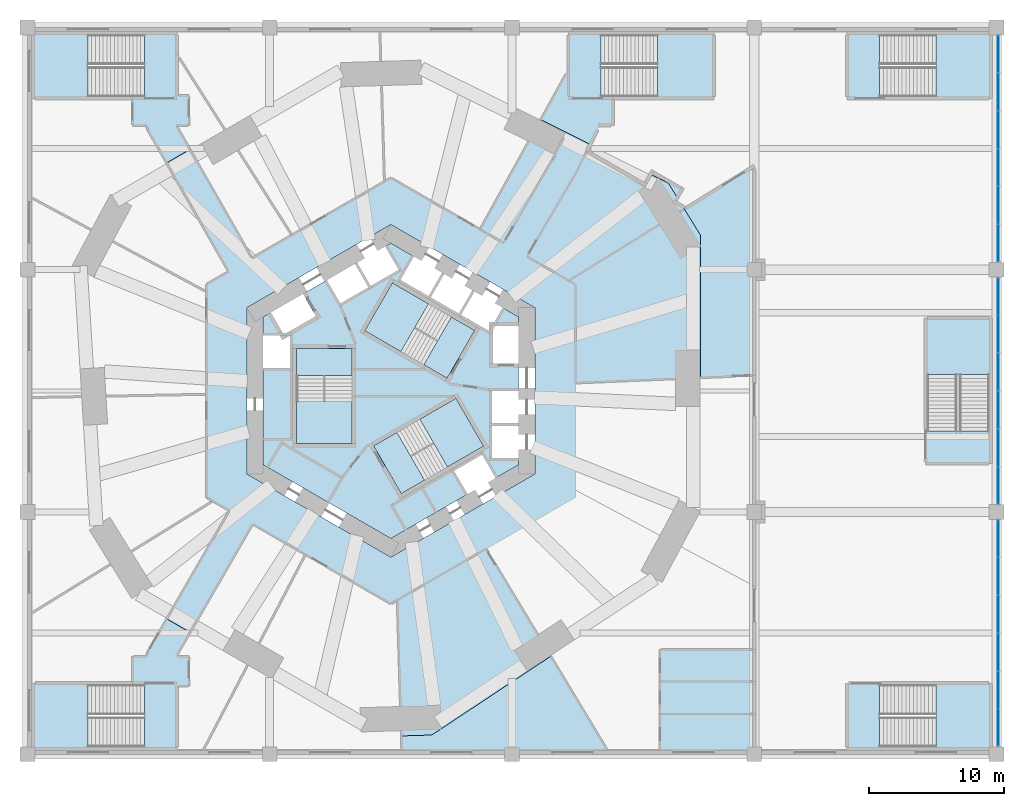
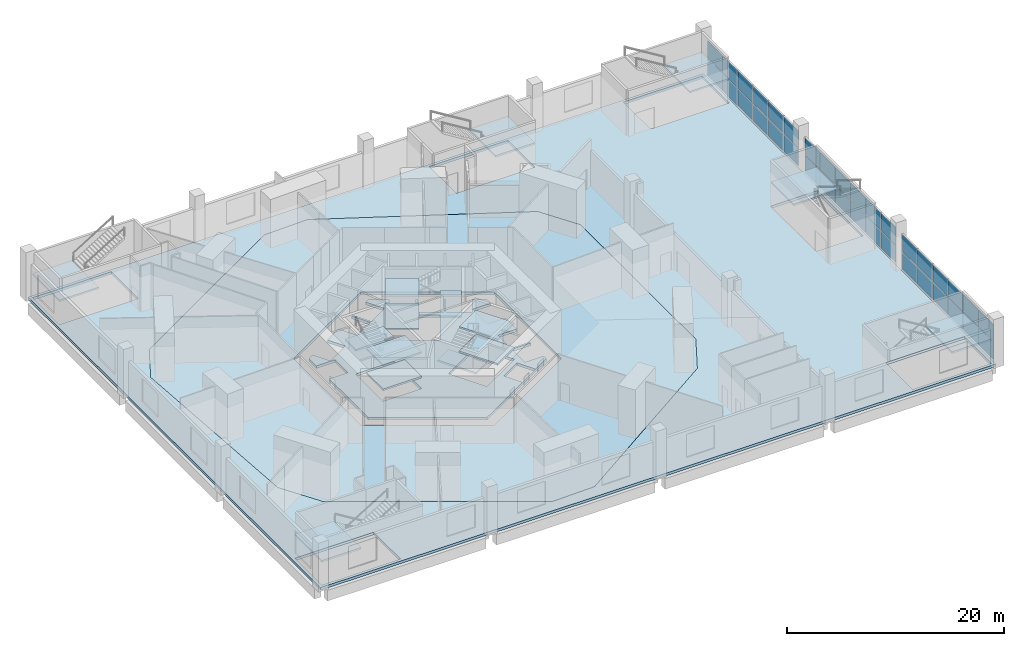
# One storey, part 4 of 16: 36 plates, 18 slabs, 12 elements without a shape of their own.
"""IFC4 building model written with IfcOpenShell, lengths in metres."""

from ifc_helpers import new_model, si_unit, direction, frame, origin, origin_2d, place, context, subcontext, project, spatial, polyline, rectangle, outline, extrude, material, layer, layer_set, type_object, element, aggregate, save


model = new_model("IFC4")

# Units and contexts
model_context = context("Model", 3, precision=1e-05, world=origin(), true_north=direction((0.0, 1.0)))
body_context = subcontext(model_context, "Body", "Model", "MODEL_VIEW")
ifc_project = project(units=[si_unit("LENGTHUNIT", "METRE"), si_unit("AREAUNIT", "SQUARE_METRE"), si_unit("VOLUMEUNIT", "CUBIC_METRE"), si_unit("PLANEANGLEUNIT", "RADIAN"), si_unit("MASSUNIT", "GRAM", prefix="KILO")], contexts=[model_context])

# Site, building, storey
site_placement = place(None, origin())
site = spatial("IfcSite", under=ifc_project, at=site_placement, CompositionType="ELEMENT")
building_placement = place(site_placement, origin())
building = spatial("IfcBuilding", under=site, at=building_placement, Name="Vanh Sen Convention Tower", CompositionType="ELEMENT")
storey_placement = place(building_placement, frame((0.0, 0.0, 7.5)))
storey = spatial("IfcBuildingStorey", under=building, at=storey_placement, Name="L01", CompositionType="ELEMENT", Elevation=7.5)

# Slabs
ifc_material_1 = material(Name="Concrete C40/50", Category="concrete")
ifc_layer_1 = layer(ifc_material_1, 0.300048828125)
ifc_layer_set_1 = layer_set([ifc_layer_1], Name="Concrete C40/50")
slab_type_1 = type_object("IfcSlabType", Name="Core slab 300", PredefinedType="FLOOR", material=ifc_layer_set_1)
slab_1_placement = place(storey_placement, frame((0.0, 0.0, -0.300048828125)))
element("IfcSlab", 1, at=slab_1_placement, inside=storey, type_object=slab_type_1, Name="Core slab L01", PredefinedType="FLOOR", context=body_context, shape_type="SweptSolid", body=[
    extrude(outline(polyline([(9.5, 5.48486328125), (9.5, 4.800048828125), (7.60009765625, 4.800048828125), (7.60009765625, 2.050048828125), (9.5, 2.050048828125), (9.5, 0.0), (7.5, 0.0), (7.5, -2.39990234375), (9.5, -2.39990234375), (9.5, -2.60009765625), (7.5, -2.60009765625), (7.5, -5.0), (9.5, -5.0), (9.5, -5.48486328125), (0.0, -10.9697265625), (-9.5, -5.48486328125), (-9.5, 1.699951171875), (-7.5, 1.699951171875), (-7.5, 4.10009765625), (-9.5, 4.10009765625), (-9.5, 5.48486328125), (-8.906982421875, 5.8271484375), (-7.956787109375, 4.181884765625), (-5.575439453125, 5.556884765625), (-6.525390625, 7.2021484375), (-4.75, 8.227294921875), (-3.75, 6.4951171875), (-1.67138671875, 7.6953125), (-2.67138671875, 9.42724609375), (-2.498291015625, 9.527099609375), (-1.498291015625, 7.795166015625), (0.580078125, 8.9951171875), (-0.419921875, 10.727294921875), (0.0, 10.9697265625), (1.718994140625, 9.977294921875), (0.718994140625, 8.2451171875), (2.79736328125, 7.045166015625), (3.79736328125, 8.777099609375), (3.970703125, 8.67724609375), (2.970703125, 6.9453125), (5.049072265625, 5.7451171875), (6.049072265625, 7.477294921875), (6.22216796875, 7.377197265625), (5.22216796875, 5.645263671875), (7.30078125, 4.4453125), (8.30078125, 6.17724609375), (9.5, 5.48486328125)]), holes=[polyline([(-7.0, 3.14990234375), (-7.0, -3.909912109375), (-2.89990234375, -3.909912109375), (-2.89990234375, 3.14990234375), (-2.89990234375, 1.1494140625), (-7.0, 1.1494140625), (-7.0, 3.14990234375)]), polyline([(4.495361328125, 5.487548828125), (6.22802734375, 4.4873046875), (0.11376953125, 8.01708984375), (-1.936279296875, 4.466552734375), (2.4453125, 1.936767578125), (4.495361328125, 5.487548828125)]), polyline([(7.781005859375, -6.477294921875), (6.781005859375, -4.7451171875), (4.70263671875, -5.9453125), (5.70263671875, -7.67724609375), (7.781005859375, -6.477294921875)]), polyline([(0.45458984375, -3.086181640625), (2.504638671875, -6.63671875), (6.88623046875, -4.107177734375), (4.836181640625, -0.556396484375), (-1.278076171875, -4.08642578125), (0.45458984375, -3.086181640625)])]), origin(), (0.0, 0.0, 1.0), 0.300048828125),
])
ifc_layer_2 = layer(ifc_material_1, 0.300048828125)
ifc_layer_set_2 = layer_set([ifc_layer_2], Name="Concrete C40/50")
slab_type_2 = type_object("IfcSlabType", Name="Floor slab 300 REI 120", PredefinedType="FLOOR", material=ifc_layer_set_2)
slab_2_placement = place(storey_placement, frame((0.0, 0.0, -0.300048828125)))
element("IfcSlab", 2, at=slab_2_placement, inside=storey, type_object=slab_type_2, Name="Floor slab L01 tower", PredefinedType="FLOOR", context=body_context, shape_type="SweptSolid", body=[
    extrude(outline(polyline([(-23.663818359375, 10.14794921875), (-22.364990234375, -11.085205078125), (-19.89990234375, -15.069091796875), (-1.476806640625, -25.705322265625), (3.04345703125, -25.5673828125), (20.78271484375, -13.825927734375), (23.0, -9.69921875), (23.0, 11.57373046875), (20.620361328125, 15.419189453125), (1.58251953125, 24.911376953125), (-3.10009765625, 24.768310546875), (-21.523193359375, 14.131591796875), (-23.663818359375, 10.14794921875)]), holes=[polyline([(0.0, 12.355224609375), (-10.699951171875, 6.177490234375), (-10.699951171875, -6.177490234375), (0.0, -12.355224609375), (10.699951171875, -6.177490234375), (10.699951171875, 6.177490234375), (0.0, 12.355224609375)])]), origin(), (0.0, 0.0, 1.0), 0.300048828125),
])
slab_3_placement = place(storey_placement, frame((0.0, 0.0, -0.300048828125)))
element("IfcSlab", 3, at=slab_3_placement, inside=storey, type_object=slab_type_2, Name="Floor slab L01 wing", PredefinedType="FLOOR", context=body_context, shape_type="SweptSolid", body=[
    extrude(outline(polyline([(45.0, 27.0), (-27.0, 27.0), (-27.0, -27.0), (45.0, -27.0), (45.0, 27.0)]), holes=[polyline([(-22.364990234375, -11.085205078125), (-19.89990234375, -15.069091796875), (-1.476806640625, -25.705322265625), (3.04345703125, -25.5673828125), (20.78271484375, -13.825927734375), (23.0, -9.69921875), (23.0, 11.57373046875), (20.620361328125, 15.419189453125), (1.58251953125, 24.911376953125), (-3.10009765625, 24.768310546875), (-21.523193359375, 14.131591796875), (-23.663818359375, 10.14794921875), (-22.364990234375, -11.085205078125)]), polyline([(44.699951171875, 26.699951171875), (36.30078125, 26.699951171875), (36.30078125, 21.72509765625), (44.699951171875, 21.72509765625), (44.699951171875, 26.699951171875)]), polyline([(36.30078125, -26.699951171875), (44.699951171875, -26.699951171875), (44.699951171875, -21.72509765625), (36.30078125, -21.72509765625), (36.30078125, -26.699951171875)]), polyline([(39.72509765625, -2.999267578125), (44.699951171875, -2.999267578125), (44.699951171875, 5.39990234375), (39.72509765625, 5.39990234375), (39.72509765625, -2.999267578125)]), polyline([(15.6005859375, 26.699951171875), (15.6005859375, 21.72509765625), (24.0, 21.72509765625), (24.0, 26.699951171875), (15.6005859375, 26.699951171875)]), polyline([(-26.699951171875, 26.699951171875), (-26.699951171875, 21.72509765625), (-18.30078125, 21.72509765625), (-18.30078125, 26.699951171875), (-26.699951171875, 26.699951171875)]), polyline([(-26.699951171875, -21.72509765625), (-26.699951171875, -26.699951171875), (-18.30078125, -26.699951171875), (-18.30078125, -21.72509765625), (-26.699951171875, -21.72509765625)])]), origin(), (0.0, 0.0, 1.0), 0.300048828125),
])

# Curtain wall, plates
ifc_material_2 = material(Name="Aluminium structural glazing system", Category="aluminium")
curtain_wall_type = type_object("IfcCurtainWallType", Name="Podium hall structural glazing", PredefinedType="NOTDEFINED", material=ifc_material_2)
curtain_wall_1_placement = place(storey_placement, origin())
curtain_wall_1 = element("IfcCurtainWall", 4, at=curtain_wall_1_placement, inside=storey, type_object=curtain_wall_type, Name="Podium hall glazing 1 L01", PredefinedType="NOTDEFINED")
ifc_material_3 = material(Name="Clear toughened safety glass", Category="glass")
ifc_layer_3 = layer(ifc_material_3, 0.031982421875)
ifc_layer_set_3 = layer_set([ifc_layer_3], Name="Clear toughened safety glass")
plate_type = type_object("IfcPlateType", Name="Hall glazing clear glass panel 32", PredefinedType="CURTAIN_PANEL", material=ifc_layer_set_3)
plate_1_placement = place(storey_placement, frame((45.110107421875, -25.024169921875, 0.06982421875), z_axis=(0.0, 0.0, 1.0), x_axis=(0.0, 1.0, 0.0)))
plate_1 = element("IfcPlate", 5, at=plate_1_placement, type_object=plate_type, Name="CW4 panel 1.1", PredefinedType="CURTAIN_PANEL", context=body_context, shape_type="SweptSolid", body=[
    extrude(rectangle(XDim=2.711669921875, YDim=0.031982421875, at=origin_2d()), origin(), (0.0, 0.0, 1.0), 1.945068359375),
])
plate_2_placement = place(storey_placement, frame((45.110107421875, -25.024169921875, 2.0849609375), z_axis=(0.0, 0.0, 1.0), x_axis=(0.0, 1.0, 0.0)))
plate_2 = element("IfcPlate", 6, at=plate_2_placement, type_object=plate_type, Name="CW4 panel 1.2", PredefinedType="CURTAIN_PANEL", context=body_context, shape_type="SweptSolid", body=[
    extrude(rectangle(XDim=2.711669921875, YDim=0.031982421875, at=origin_2d()), origin(), (0.0, 0.0, 1.0), 1.945068359375),
])
plate_3_placement = place(storey_placement, frame((45.110107421875, -22.22509765625, 0.06982421875), z_axis=(0.0, 0.0, 1.0), x_axis=(0.0, 1.0, 0.0)))
plate_3 = element("IfcPlate", 7, at=plate_3_placement, type_object=plate_type, Name="CW4 panel 2.1", PredefinedType="CURTAIN_PANEL", context=body_context, shape_type="SweptSolid", body=[
    extrude(rectangle(XDim=2.74658203125, YDim=0.031982421875, at=origin_2d()), origin(), (0.0, 0.0, 1.0), 1.945068359375),
])
plate_4_placement = place(storey_placement, frame((45.110107421875, -22.22509765625, 2.0849609375), z_axis=(0.0, 0.0, 1.0), x_axis=(0.0, 1.0, 0.0)))
plate_4 = element("IfcPlate", 8, at=plate_4_placement, type_object=plate_type, Name="CW4 panel 2.2", PredefinedType="CURTAIN_PANEL", context=body_context, shape_type="SweptSolid", body=[
    extrude(rectangle(XDim=2.74658203125, YDim=0.031982421875, at=origin_2d()), origin(), (0.0, 0.0, 1.0), 1.945068359375),
])
plate_5_placement = place(storey_placement, frame((45.110107421875, -19.408447265625, 0.06982421875), z_axis=(0.0, 0.0, 1.0), x_axis=(0.0, 1.0, 0.0)))
plate_5 = element("IfcPlate", 9, at=plate_5_placement, type_object=plate_type, Name="CW4 panel 3.1", PredefinedType="CURTAIN_PANEL", context=body_context, shape_type="SweptSolid", body=[
    extrude(rectangle(XDim=2.74658203125, YDim=0.031982421875, at=origin_2d()), origin(), (0.0, 0.0, 1.0), 1.945068359375),
])
plate_6_placement = place(storey_placement, frame((45.110107421875, -19.408447265625, 2.0849609375), z_axis=(0.0, 0.0, 1.0), x_axis=(0.0, 1.0, 0.0)))
plate_6 = element("IfcPlate", 10, at=plate_6_placement, type_object=plate_type, Name="CW4 panel 3.2", PredefinedType="CURTAIN_PANEL", context=body_context, shape_type="SweptSolid", body=[
    extrude(rectangle(XDim=2.74658203125, YDim=0.031982421875, at=origin_2d()), origin(), (0.0, 0.0, 1.0), 1.945068359375),
])
plate_7_placement = place(storey_placement, frame((45.110107421875, -16.591552734375, 0.06982421875), z_axis=(0.0, 0.0, 1.0), x_axis=(0.0, 1.0, 0.0)))
plate_7 = element("IfcPlate", 11, at=plate_7_placement, type_object=plate_type, Name="CW4 panel 4.1", PredefinedType="CURTAIN_PANEL", context=body_context, shape_type="SweptSolid", body=[
    extrude(rectangle(XDim=2.74658203125, YDim=0.031982421875, at=origin_2d()), origin(), (0.0, 0.0, 1.0), 1.945068359375),
])
plate_8_placement = place(storey_placement, frame((45.110107421875, -16.591552734375, 2.0849609375), z_axis=(0.0, 0.0, 1.0), x_axis=(0.0, 1.0, 0.0)))
plate_8 = element("IfcPlate", 12, at=plate_8_placement, type_object=plate_type, Name="CW4 panel 4.2", PredefinedType="CURTAIN_PANEL", context=body_context, shape_type="SweptSolid", body=[
    extrude(rectangle(XDim=2.74658203125, YDim=0.031982421875, at=origin_2d()), origin(), (0.0, 0.0, 1.0), 1.945068359375),
])
plate_9_placement = place(storey_placement, frame((45.110107421875, -13.77490234375, 0.06982421875), z_axis=(0.0, 0.0, 1.0), x_axis=(0.0, 1.0, 0.0)))
plate_9 = element("IfcPlate", 13, at=plate_9_placement, type_object=plate_type, Name="CW4 panel 5.1", PredefinedType="CURTAIN_PANEL", context=body_context, shape_type="SweptSolid", body=[
    extrude(rectangle(XDim=2.74658203125, YDim=0.031982421875, at=origin_2d()), origin(), (0.0, 0.0, 1.0), 1.945068359375),
])
plate_10_placement = place(storey_placement, frame((45.110107421875, -13.77490234375, 2.0849609375), z_axis=(0.0, 0.0, 1.0), x_axis=(0.0, 1.0, 0.0)))
plate_10 = element("IfcPlate", 14, at=plate_10_placement, type_object=plate_type, Name="CW4 panel 5.2", PredefinedType="CURTAIN_PANEL", context=body_context, shape_type="SweptSolid", body=[
    extrude(rectangle(XDim=2.74658203125, YDim=0.031982421875, at=origin_2d()), origin(), (0.0, 0.0, 1.0), 1.945068359375),
])
plate_11_placement = place(storey_placement, frame((45.110107421875, -10.975830078125, 0.06982421875), z_axis=(0.0, 0.0, 1.0), x_axis=(0.0, 1.0, 0.0)))
plate_11 = element("IfcPlate", 15, at=plate_11_placement, type_object=plate_type, Name="CW4 panel 6.1", PredefinedType="CURTAIN_PANEL", context=body_context, shape_type="SweptSolid", body=[
    extrude(rectangle(XDim=2.711669921875, YDim=0.031982421875, at=origin_2d()), origin(), (0.0, 0.0, 1.0), 1.945068359375),
])
plate_12_placement = place(storey_placement, frame((45.110107421875, -10.975830078125, 2.0849609375), z_axis=(0.0, 0.0, 1.0), x_axis=(0.0, 1.0, 0.0)))
plate_12 = element("IfcPlate", 16, at=plate_12_placement, type_object=plate_type, Name="CW4 panel 6.2", PredefinedType="CURTAIN_PANEL", context=body_context, shape_type="SweptSolid", body=[
    extrude(rectangle(XDim=2.711669921875, YDim=0.031982421875, at=origin_2d()), origin(), (0.0, 0.0, 1.0), 1.945068359375),
])
aggregate(curtain_wall_1, [plate_1, plate_2, plate_3, plate_4, plate_5, plate_6, plate_7, plate_8, plate_9, plate_10, plate_11, plate_12])

curtain_wall_2_placement = place(storey_placement, origin())
curtain_wall_2 = element("IfcCurtainWall", 17, at=curtain_wall_2_placement, inside=storey, type_object=curtain_wall_type, Name="Podium hall glazing 2 L01", PredefinedType="NOTDEFINED")
plate_13_placement = place(storey_placement, frame((45.110107421875, -7.024169921875, 0.06982421875), z_axis=(0.0, 0.0, 1.0), x_axis=(0.0, 1.0, 0.0)))
plate_13 = element("IfcPlate", 18, at=plate_13_placement, type_object=plate_type, Name="CW4 panel 1.1", PredefinedType="CURTAIN_PANEL", context=body_context, shape_type="SweptSolid", body=[
    extrude(rectangle(XDim=2.711669921875, YDim=0.031982421875, at=origin_2d()), origin(), (0.0, 0.0, 1.0), 1.945068359375),
])
plate_14_placement = place(storey_placement, frame((45.110107421875, -7.024169921875, 2.0849609375), z_axis=(0.0, 0.0, 1.0), x_axis=(0.0, 1.0, 0.0)))
plate_14 = element("IfcPlate", 19, at=plate_14_placement, type_object=plate_type, Name="CW4 panel 1.2", PredefinedType="CURTAIN_PANEL", context=body_context, shape_type="SweptSolid", body=[
    extrude(rectangle(XDim=2.711669921875, YDim=0.031982421875, at=origin_2d()), origin(), (0.0, 0.0, 1.0), 1.945068359375),
])
plate_15_placement = place(storey_placement, frame((45.110107421875, -4.22509765625, 0.06982421875), z_axis=(0.0, 0.0, 1.0), x_axis=(0.0, 1.0, 0.0)))
plate_15 = element("IfcPlate", 20, at=plate_15_placement, type_object=plate_type, Name="CW4 panel 2.1", PredefinedType="CURTAIN_PANEL", context=body_context, shape_type="SweptSolid", body=[
    extrude(rectangle(XDim=2.74658203125, YDim=0.031982421875, at=origin_2d()), origin(), (0.0, 0.0, 1.0), 1.945068359375),
])
plate_16_placement = place(storey_placement, frame((45.110107421875, -4.22509765625, 2.0849609375), z_axis=(0.0, 0.0, 1.0), x_axis=(0.0, 1.0, 0.0)))
plate_16 = element("IfcPlate", 21, at=plate_16_placement, type_object=plate_type, Name="CW4 panel 2.2", PredefinedType="CURTAIN_PANEL", context=body_context, shape_type="SweptSolid", body=[
    extrude(rectangle(XDim=2.74658203125, YDim=0.031982421875, at=origin_2d()), origin(), (0.0, 0.0, 1.0), 1.945068359375),
])
plate_17_placement = place(storey_placement, frame((45.110107421875, -1.408447265625, 0.06982421875), z_axis=(0.0, 0.0, 1.0), x_axis=(0.0, 1.0, 0.0)))
plate_17 = element("IfcPlate", 22, at=plate_17_placement, type_object=plate_type, Name="CW4 panel 3.1", PredefinedType="CURTAIN_PANEL", context=body_context, shape_type="SweptSolid", body=[
    extrude(rectangle(XDim=2.74658203125, YDim=0.031982421875, at=origin_2d()), origin(), (0.0, 0.0, 1.0), 1.945068359375),
])
plate_18_placement = place(storey_placement, frame((45.110107421875, -1.408447265625, 2.0849609375), z_axis=(0.0, 0.0, 1.0), x_axis=(0.0, 1.0, 0.0)))
plate_18 = element("IfcPlate", 23, at=plate_18_placement, type_object=plate_type, Name="CW4 panel 3.2", PredefinedType="CURTAIN_PANEL", context=body_context, shape_type="SweptSolid", body=[
    extrude(rectangle(XDim=2.74658203125, YDim=0.031982421875, at=origin_2d()), origin(), (0.0, 0.0, 1.0), 1.945068359375),
])
plate_19_placement = place(storey_placement, frame((45.110107421875, 1.408447265625, 0.06982421875), z_axis=(0.0, 0.0, 1.0), x_axis=(0.0, 1.0, 0.0)))
plate_19 = element("IfcPlate", 24, at=plate_19_placement, type_object=plate_type, Name="CW4 panel 4.1", PredefinedType="CURTAIN_PANEL", context=body_context, shape_type="SweptSolid", body=[
    extrude(rectangle(XDim=2.74658203125, YDim=0.031982421875, at=origin_2d()), origin(), (0.0, 0.0, 1.0), 1.945068359375),
])
plate_20_placement = place(storey_placement, frame((45.110107421875, 1.408447265625, 2.0849609375), z_axis=(0.0, 0.0, 1.0), x_axis=(0.0, 1.0, 0.0)))
plate_20 = element("IfcPlate", 25, at=plate_20_placement, type_object=plate_type, Name="CW4 panel 4.2", PredefinedType="CURTAIN_PANEL", context=body_context, shape_type="SweptSolid", body=[
    extrude(rectangle(XDim=2.74658203125, YDim=0.031982421875, at=origin_2d()), origin(), (0.0, 0.0, 1.0), 1.945068359375),
])
plate_21_placement = place(storey_placement, frame((45.110107421875, 4.22509765625, 0.06982421875), z_axis=(0.0, 0.0, 1.0), x_axis=(0.0, 1.0, 0.0)))
plate_21 = element("IfcPlate", 26, at=plate_21_placement, type_object=plate_type, Name="CW4 panel 5.1", PredefinedType="CURTAIN_PANEL", context=body_context, shape_type="SweptSolid", body=[
    extrude(rectangle(XDim=2.74658203125, YDim=0.031982421875, at=origin_2d()), origin(), (0.0, 0.0, 1.0), 1.945068359375),
])
plate_22_placement = place(storey_placement, frame((45.110107421875, 4.22509765625, 2.0849609375), z_axis=(0.0, 0.0, 1.0), x_axis=(0.0, 1.0, 0.0)))
plate_22 = element("IfcPlate", 27, at=plate_22_placement, type_object=plate_type, Name="CW4 panel 5.2", PredefinedType="CURTAIN_PANEL", context=body_context, shape_type="SweptSolid", body=[
    extrude(rectangle(XDim=2.74658203125, YDim=0.031982421875, at=origin_2d()), origin(), (0.0, 0.0, 1.0), 1.945068359375),
])
plate_23_placement = place(storey_placement, frame((45.110107421875, 7.024169921875, 0.06982421875), z_axis=(0.0, 0.0, 1.0), x_axis=(0.0, 1.0, 0.0)))
plate_23 = element("IfcPlate", 28, at=plate_23_placement, type_object=plate_type, Name="CW4 panel 6.1", PredefinedType="CURTAIN_PANEL", context=body_context, shape_type="SweptSolid", body=[
    extrude(rectangle(XDim=2.711669921875, YDim=0.031982421875, at=origin_2d()), origin(), (0.0, 0.0, 1.0), 1.945068359375),
])
plate_24_placement = place(storey_placement, frame((45.110107421875, 7.024169921875, 2.0849609375), z_axis=(0.0, 0.0, 1.0), x_axis=(0.0, 1.0, 0.0)))
plate_24 = element("IfcPlate", 29, at=plate_24_placement, type_object=plate_type, Name="CW4 panel 6.2", PredefinedType="CURTAIN_PANEL", context=body_context, shape_type="SweptSolid", body=[
    extrude(rectangle(XDim=2.711669921875, YDim=0.031982421875, at=origin_2d()), origin(), (0.0, 0.0, 1.0), 1.945068359375),
])
aggregate(curtain_wall_2, [plate_13, plate_14, plate_15, plate_16, plate_17, plate_18, plate_19, plate_20, plate_21, plate_22, plate_23, plate_24])

curtain_wall_3_placement = place(storey_placement, origin())
curtain_wall_3 = element("IfcCurtainWall", 30, at=curtain_wall_3_placement, inside=storey, type_object=curtain_wall_type, Name="Podium hall glazing 3 L01", PredefinedType="NOTDEFINED")
plate_25_placement = place(storey_placement, frame((45.110107421875, 10.975830078125, 0.06982421875), z_axis=(0.0, 0.0, 1.0), x_axis=(0.0, 1.0, 0.0)))
plate_25 = element("IfcPlate", 31, at=plate_25_placement, type_object=plate_type, Name="CW4 panel 1.1", PredefinedType="CURTAIN_PANEL", context=body_context, shape_type="SweptSolid", body=[
    extrude(rectangle(XDim=2.711669921875, YDim=0.031982421875, at=origin_2d()), origin(), (0.0, 0.0, 1.0), 1.945068359375),
])
plate_26_placement = place(storey_placement, frame((45.110107421875, 10.975830078125, 2.0849609375), z_axis=(0.0, 0.0, 1.0), x_axis=(0.0, 1.0, 0.0)))
plate_26 = element("IfcPlate", 32, at=plate_26_placement, type_object=plate_type, Name="CW4 panel 1.2", PredefinedType="CURTAIN_PANEL", context=body_context, shape_type="SweptSolid", body=[
    extrude(rectangle(XDim=2.711669921875, YDim=0.031982421875, at=origin_2d()), origin(), (0.0, 0.0, 1.0), 1.945068359375),
])
plate_27_placement = place(storey_placement, frame((45.110107421875, 13.77490234375, 0.06982421875), z_axis=(0.0, 0.0, 1.0), x_axis=(0.0, 1.0, 0.0)))
plate_27 = element("IfcPlate", 33, at=plate_27_placement, type_object=plate_type, Name="CW4 panel 2.1", PredefinedType="CURTAIN_PANEL", context=body_context, shape_type="SweptSolid", body=[
    extrude(rectangle(XDim=2.74658203125, YDim=0.031982421875, at=origin_2d()), origin(), (0.0, 0.0, 1.0), 1.945068359375),
])
plate_28_placement = place(storey_placement, frame((45.110107421875, 13.77490234375, 2.0849609375), z_axis=(0.0, 0.0, 1.0), x_axis=(0.0, 1.0, 0.0)))
plate_28 = element("IfcPlate", 34, at=plate_28_placement, type_object=plate_type, Name="CW4 panel 2.2", PredefinedType="CURTAIN_PANEL", context=body_context, shape_type="SweptSolid", body=[
    extrude(rectangle(XDim=2.74658203125, YDim=0.031982421875, at=origin_2d()), origin(), (0.0, 0.0, 1.0), 1.945068359375),
])
plate_29_placement = place(storey_placement, frame((45.110107421875, 16.591552734375, 0.06982421875), z_axis=(0.0, 0.0, 1.0), x_axis=(0.0, 1.0, 0.0)))
plate_29 = element("IfcPlate", 35, at=plate_29_placement, type_object=plate_type, Name="CW4 panel 3.1", PredefinedType="CURTAIN_PANEL", context=body_context, shape_type="SweptSolid", body=[
    extrude(rectangle(XDim=2.74658203125, YDim=0.031982421875, at=origin_2d()), origin(), (0.0, 0.0, 1.0), 1.945068359375),
])
plate_30_placement = place(storey_placement, frame((45.110107421875, 16.591552734375, 2.0849609375), z_axis=(0.0, 0.0, 1.0), x_axis=(0.0, 1.0, 0.0)))
plate_30 = element("IfcPlate", 36, at=plate_30_placement, type_object=plate_type, Name="CW4 panel 3.2", PredefinedType="CURTAIN_PANEL", context=body_context, shape_type="SweptSolid", body=[
    extrude(rectangle(XDim=2.74658203125, YDim=0.031982421875, at=origin_2d()), origin(), (0.0, 0.0, 1.0), 1.945068359375),
])
plate_31_placement = place(storey_placement, frame((45.110107421875, 19.408447265625, 0.06982421875), z_axis=(0.0, 0.0, 1.0), x_axis=(0.0, 1.0, 0.0)))
plate_31 = element("IfcPlate", 37, at=plate_31_placement, type_object=plate_type, Name="CW4 panel 4.1", PredefinedType="CURTAIN_PANEL", context=body_context, shape_type="SweptSolid", body=[
    extrude(rectangle(XDim=2.74658203125, YDim=0.031982421875, at=origin_2d()), origin(), (0.0, 0.0, 1.0), 1.945068359375),
])
plate_32_placement = place(storey_placement, frame((45.110107421875, 19.408447265625, 2.0849609375), z_axis=(0.0, 0.0, 1.0), x_axis=(0.0, 1.0, 0.0)))
plate_32 = element("IfcPlate", 38, at=plate_32_placement, type_object=plate_type, Name="CW4 panel 4.2", PredefinedType="CURTAIN_PANEL", context=body_context, shape_type="SweptSolid", body=[
    extrude(rectangle(XDim=2.74658203125, YDim=0.031982421875, at=origin_2d()), origin(), (0.0, 0.0, 1.0), 1.945068359375),
])
plate_33_placement = place(storey_placement, frame((45.110107421875, 22.22509765625, 0.06982421875), z_axis=(0.0, 0.0, 1.0), x_axis=(0.0, 1.0, 0.0)))
plate_33 = element("IfcPlate", 39, at=plate_33_placement, type_object=plate_type, Name="CW4 panel 5.1", PredefinedType="CURTAIN_PANEL", context=body_context, shape_type="SweptSolid", body=[
    extrude(rectangle(XDim=2.74658203125, YDim=0.031982421875, at=origin_2d()), origin(), (0.0, 0.0, 1.0), 1.945068359375),
])
plate_34_placement = place(storey_placement, frame((45.110107421875, 22.22509765625, 2.0849609375), z_axis=(0.0, 0.0, 1.0), x_axis=(0.0, 1.0, 0.0)))
plate_34 = element("IfcPlate", 40, at=plate_34_placement, type_object=plate_type, Name="CW4 panel 5.2", PredefinedType="CURTAIN_PANEL", context=body_context, shape_type="SweptSolid", body=[
    extrude(rectangle(XDim=2.74658203125, YDim=0.031982421875, at=origin_2d()), origin(), (0.0, 0.0, 1.0), 1.945068359375),
])
plate_35_placement = place(storey_placement, frame((45.110107421875, 25.024169921875, 0.06982421875), z_axis=(0.0, 0.0, 1.0), x_axis=(0.0, 1.0, 0.0)))
plate_35 = element("IfcPlate", 41, at=plate_35_placement, type_object=plate_type, Name="CW4 panel 6.1", PredefinedType="CURTAIN_PANEL", context=body_context, shape_type="SweptSolid", body=[
    extrude(rectangle(XDim=2.711669921875, YDim=0.031982421875, at=origin_2d()), origin(), (0.0, 0.0, 1.0), 1.945068359375),
])
plate_36_placement = place(storey_placement, frame((45.110107421875, 25.024169921875, 2.0849609375), z_axis=(0.0, 0.0, 1.0), x_axis=(0.0, 1.0, 0.0)))
plate_36 = element("IfcPlate", 42, at=plate_36_placement, type_object=plate_type, Name="CW4 panel 6.2", PredefinedType="CURTAIN_PANEL", context=body_context, shape_type="SweptSolid", body=[
    extrude(rectangle(XDim=2.711669921875, YDim=0.031982421875, at=origin_2d()), origin(), (0.0, 0.0, 1.0), 1.945068359375),
])
aggregate(curtain_wall_3, [plate_25, plate_26, plate_27, plate_28, plate_29, plate_30, plate_31, plate_32, plate_33, plate_34, plate_35, plate_36])

# Stair, slab
stair_type_1 = type_object("IfcStairType", Name="Podium exit stair 2200", PredefinedType="HALF_TURN_STAIR", material=ifc_material_1)
stair_1_placement = place(storey_placement, origin())
stair_1 = element("IfcStair", 43, at=stair_1_placement, inside=storey, type_object=stair_type_1, Name="Exit stair PS1 L01", PredefinedType="HALF_TURN_STAIR")
ifc_layer_4 = layer(ifc_material_1, 0.199951171875)
ifc_layer_set_4 = layer_set([ifc_layer_4], Name="Concrete C40/50")
slab_type_3 = type_object("IfcSlabType", Name="Podium stair landing 200", PredefinedType="LANDING", material=ifc_layer_set_4)
slab_4_placement = place(storey_placement, frame((0.0, 0.0, 2.550048828125)))
slab_4 = element("IfcSlab", 44, at=slab_4_placement, type_object=slab_type_3, Name="PS1 landing 1", PredefinedType="LANDING", context=body_context, shape_type="SweptSolid", body=[
    extrude(outline(polyline([(40.499267578125, 21.72509765625), (44.699951171875, 21.72509765625), (44.699951171875, 26.699951171875), (40.499267578125, 26.699951171875), (40.499267578125, 21.72509765625)])), origin(), (0.0, 0.0, 1.0), 0.199951171875),
])
aggregate(stair_1, [slab_4])

stair_2_placement = place(storey_placement, origin())
stair_2 = element("IfcStair", 45, at=stair_2_placement, inside=storey, type_object=stair_type_1, Name="Exit stair PS2 L01", PredefinedType="HALF_TURN_STAIR")
slab_5_placement = place(storey_placement, frame((0.0, 0.0, 2.550048828125)))
slab_5 = element("IfcSlab", 46, at=slab_5_placement, type_object=slab_type_3, Name="PS2 landing 1", PredefinedType="LANDING", context=body_context, shape_type="SweptSolid", body=[
    extrude(outline(polyline([(40.499267578125, -21.72509765625), (44.699951171875, -21.72509765625), (44.699951171875, -26.699951171875), (40.499267578125, -26.699951171875), (40.499267578125, -21.72509765625)])), origin(), (0.0, 0.0, 1.0), 0.199951171875),
])
aggregate(stair_2, [slab_5])

stair_3_placement = place(storey_placement, origin())
stair_3 = element("IfcStair", 47, at=stair_3_placement, inside=storey, type_object=stair_type_1, Name="Exit stair PS3 L01", PredefinedType="HALF_TURN_STAIR")
slab_6_placement = place(storey_placement, frame((0.0, 0.0, 2.550048828125)))
slab_6 = element("IfcSlab", 48, at=slab_6_placement, type_object=slab_type_3, Name="PS3 landing 1", PredefinedType="LANDING", context=body_context, shape_type="SweptSolid", body=[
    extrude(outline(polyline([(39.72509765625, 1.19921875), (39.72509765625, 5.39990234375), (44.699951171875, 5.39990234375), (44.699951171875, 1.19921875), (39.72509765625, 1.19921875)])), origin(), (0.0, 0.0, 1.0), 0.199951171875),
])
aggregate(stair_3, [slab_6])

stair_4_placement = place(storey_placement, origin())
stair_4 = element("IfcStair", 49, at=stair_4_placement, inside=storey, type_object=stair_type_1, Name="Exit stair PS4 L01", PredefinedType="HALF_TURN_STAIR")
slab_7_placement = place(storey_placement, frame((0.0, 0.0, 2.550048828125)))
slab_7 = element("IfcSlab", 50, at=slab_7_placement, type_object=slab_type_3, Name="PS4 landing 1", PredefinedType="LANDING", context=body_context, shape_type="SweptSolid", body=[
    extrude(outline(polyline([(19.79931640625, 21.72509765625), (24.0, 21.72509765625), (24.0, 26.699951171875), (19.79931640625, 26.699951171875), (19.79931640625, 21.72509765625)])), origin(), (0.0, 0.0, 1.0), 0.199951171875),
])
aggregate(stair_4, [slab_7])

stair_5_placement = place(storey_placement, origin())
stair_5 = element("IfcStair", 51, at=stair_5_placement, inside=storey, type_object=stair_type_1, Name="Exit stair PS5 L01", PredefinedType="HALF_TURN_STAIR")
slab_8_placement = place(storey_placement, frame((0.0, 0.0, 2.550048828125)))
slab_8 = element("IfcSlab", 52, at=slab_8_placement, type_object=slab_type_3, Name="PS5 landing 1", PredefinedType="LANDING", context=body_context, shape_type="SweptSolid", body=[
    extrude(outline(polyline([(-22.499267578125, 21.72509765625), (-26.699951171875, 21.72509765625), (-26.699951171875, 26.699951171875), (-22.499267578125, 26.699951171875), (-22.499267578125, 21.72509765625)])), origin(), (0.0, 0.0, 1.0), 0.199951171875),
])
aggregate(stair_5, [slab_8])

stair_6_placement = place(storey_placement, origin())
stair_6 = element("IfcStair", 53, at=stair_6_placement, inside=storey, type_object=stair_type_1, Name="Exit stair PS6 L01", PredefinedType="HALF_TURN_STAIR")
slab_9_placement = place(storey_placement, frame((0.0, 0.0, 2.550048828125)))
slab_9 = element("IfcSlab", 54, at=slab_9_placement, type_object=slab_type_3, Name="PS6 landing 1", PredefinedType="LANDING", context=body_context, shape_type="SweptSolid", body=[
    extrude(outline(polyline([(-22.499267578125, -21.72509765625), (-26.699951171875, -21.72509765625), (-26.699951171875, -26.699951171875), (-22.499267578125, -26.699951171875), (-22.499267578125, -21.72509765625)])), origin(), (0.0, 0.0, 1.0), 0.199951171875),
])
aggregate(stair_6, [slab_9])

# Stair, slabs
ifc_material_4 = material(Name="Concrete C50/60", Category="concrete")
stair_type_2 = type_object("IfcStairType", Name="Exit stair ST1 32 risers at 171.9", PredefinedType="HALF_TURN_STAIR", material=ifc_material_4)
stair_7_placement = place(storey_placement, origin())
stair_7 = element("IfcStair", 55, at=stair_7_placement, inside=storey, type_object=stair_type_2, Name="Exit stair ST1 L01", PredefinedType="HALF_TURN_STAIR")
ifc_layer_5 = layer(ifc_material_1, 0.199951171875)
ifc_layer_set_5 = layer_set([ifc_layer_5], Name="Concrete C40/50")
slab_type_4 = type_object("IfcSlabType", Name="Stair landing 200", PredefinedType="LANDING", material=ifc_layer_set_5)
slab_10_placement = place(storey_placement, frame((0.0, 0.0, 1.175048828125)))
slab_10 = element("IfcSlab", 56, at=slab_10_placement, type_object=slab_type_4, Name="ST1 landing 1", PredefinedType="LANDING", context=body_context, shape_type="SweptSolid", body=[
    extrude(outline(polyline([(2.79931640625, 6.466796875), (0.11376953125, 8.01708984375), (-1.936279296875, 4.466552734375), (0.749267578125, 2.916015625), (2.79931640625, 6.466796875)])), origin(), (0.0, 0.0, 1.0), 0.199951171875),
])
slab_11_placement = place(storey_placement, frame((0.0, 0.0, 2.550048828125)))
slab_11 = element("IfcSlab", 57, at=slab_11_placement, type_object=slab_type_4, Name="ST1 landing 2", PredefinedType="LANDING", context=body_context, shape_type="SweptSolid", body=[
    extrude(outline(polyline([(6.22802734375, 4.4873046875), (4.495361328125, 5.487548828125), (2.4453125, 1.936767578125), (4.177978515625, 0.9365234375), (6.22802734375, 4.4873046875)])), origin(), (0.0, 0.0, 1.0), 0.199951171875),
])
slab_12_placement = place(storey_placement, frame((0.0, 0.0, 3.925048828125)))
slab_12 = element("IfcSlab", 58, at=slab_12_placement, type_object=slab_type_4, Name="ST1 landing 3", PredefinedType="LANDING", context=body_context, shape_type="SweptSolid", body=[
    extrude(outline(polyline([(2.79931640625, 6.466796875), (0.11376953125, 8.01708984375), (-1.936279296875, 4.466552734375), (0.749267578125, 2.916015625), (2.79931640625, 6.466796875)])), origin(), (0.0, 0.0, 1.0), 0.199951171875),
])
aggregate(stair_7, [slab_10, slab_11, slab_12])

stair_type_3 = type_object("IfcStairType", Name="Exit stair ST2 32 risers at 171.9", PredefinedType="HALF_TURN_STAIR", material=ifc_material_4)
stair_8_placement = place(storey_placement, origin())
stair_8 = element("IfcStair", 59, at=stair_8_placement, inside=storey, type_object=stair_type_3, Name="Exit stair ST2 L01", PredefinedType="HALF_TURN_STAIR")
slab_13_placement = place(storey_placement, frame((0.0, 0.0, 1.175048828125)))
slab_13 = element("IfcSlab", 60, at=slab_13_placement, type_object=slab_type_4, Name="ST2 landing 1", PredefinedType="LANDING", context=body_context, shape_type="SweptSolid", body=[
    extrude(outline(polyline([(-7.0, -0.809326171875), (-7.0, -3.909912109375), (-2.89990234375, -3.909912109375), (-2.89990234375, -0.809326171875), (-7.0, -0.809326171875)])), origin(), (0.0, 0.0, 1.0), 0.199951171875),
])
slab_14_placement = place(storey_placement, frame((0.0, 0.0, 2.550048828125)))
slab_14 = element("IfcSlab", 61, at=slab_14_placement, type_object=slab_type_4, Name="ST2 landing 2", PredefinedType="LANDING", context=body_context, shape_type="SweptSolid", body=[
    extrude(outline(polyline([(-7.0, 3.14990234375), (-7.0, 1.1494140625), (-2.89990234375, 1.1494140625), (-2.89990234375, 3.14990234375), (-7.0, 3.14990234375)])), origin(), (0.0, 0.0, 1.0), 0.199951171875),
])
slab_15_placement = place(storey_placement, frame((0.0, 0.0, 3.925048828125)))
slab_15 = element("IfcSlab", 62, at=slab_15_placement, type_object=slab_type_4, Name="ST2 landing 3", PredefinedType="LANDING", context=body_context, shape_type="SweptSolid", body=[
    extrude(outline(polyline([(-7.0, -0.809326171875), (-7.0, -3.909912109375), (-2.89990234375, -3.909912109375), (-2.89990234375, -0.809326171875), (-7.0, -0.809326171875)])), origin(), (0.0, 0.0, 1.0), 0.199951171875),
])
aggregate(stair_8, [slab_13, slab_14, slab_15])

stair_type_4 = type_object("IfcStairType", Name="Exit stair ST3 32 risers at 171.9", PredefinedType="HALF_TURN_STAIR", material=ifc_material_4)
stair_9_placement = place(storey_placement, origin())
stair_9 = element("IfcStair", 63, at=stair_9_placement, inside=storey, type_object=stair_type_4, Name="Exit stair ST3 L01", PredefinedType="HALF_TURN_STAIR")
slab_16_placement = place(storey_placement, frame((0.0, 0.0, 1.175048828125)))
slab_16 = element("IfcSlab", 64, at=slab_16_placement, type_object=slab_type_4, Name="ST3 landing 1", PredefinedType="LANDING", context=body_context, shape_type="SweptSolid", body=[
    extrude(outline(polyline([(4.20068359375, -5.657470703125), (6.88623046875, -4.107177734375), (4.836181640625, -0.556396484375), (2.15087890625, -2.106689453125), (4.20068359375, -5.657470703125)])), origin(), (0.0, 0.0, 1.0), 0.199951171875),
])
slab_17_placement = place(storey_placement, frame((0.0, 0.0, 2.550048828125)))
slab_17 = element("IfcSlab", 65, at=slab_17_placement, type_object=slab_type_4, Name="ST3 landing 2", PredefinedType="LANDING", context=body_context, shape_type="SweptSolid", body=[
    extrude(outline(polyline([(0.77197265625, -7.63720703125), (2.504638671875, -6.63671875), (0.45458984375, -3.086181640625), (-1.278076171875, -4.08642578125), (0.77197265625, -7.63720703125)])), origin(), (0.0, 0.0, 1.0), 0.199951171875),
])
slab_18_placement = place(storey_placement, frame((0.0, 0.0, 3.925048828125)))
slab_18 = element("IfcSlab", 66, at=slab_18_placement, type_object=slab_type_4, Name="ST3 landing 3", PredefinedType="LANDING", context=body_context, shape_type="SweptSolid", body=[
    extrude(outline(polyline([(4.20068359375, -5.657470703125), (6.88623046875, -4.107177734375), (4.836181640625, -0.556396484375), (2.15087890625, -2.106689453125), (4.20068359375, -5.657470703125)])), origin(), (0.0, 0.0, 1.0), 0.199951171875),
])
aggregate(stair_9, [slab_16, slab_17, slab_18])

save(model, "model.ifc")
